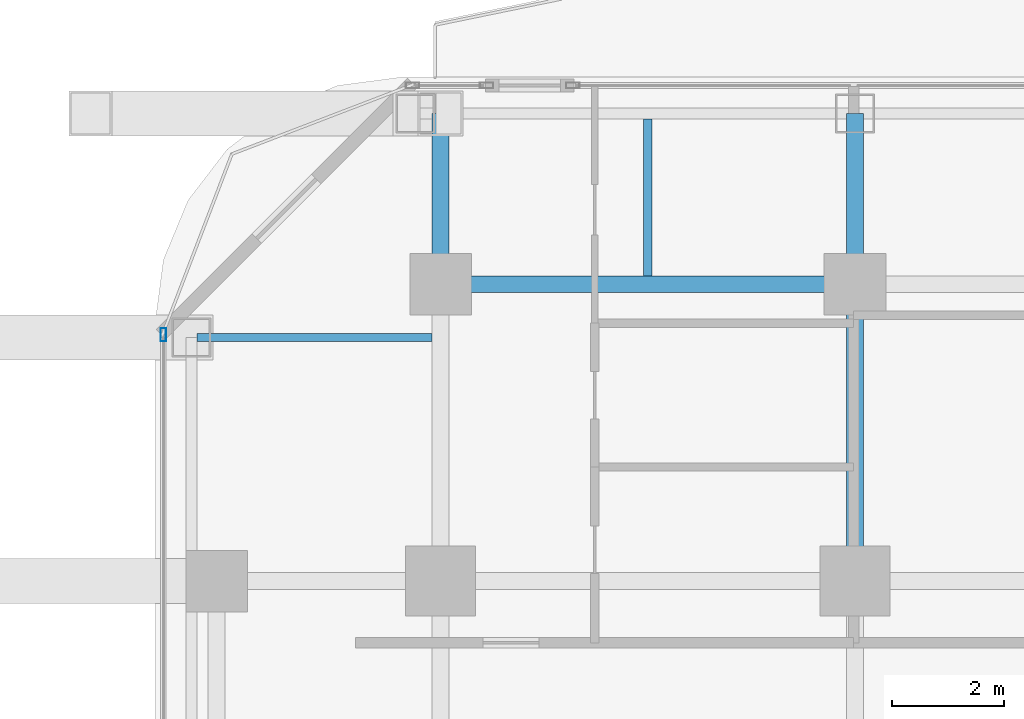
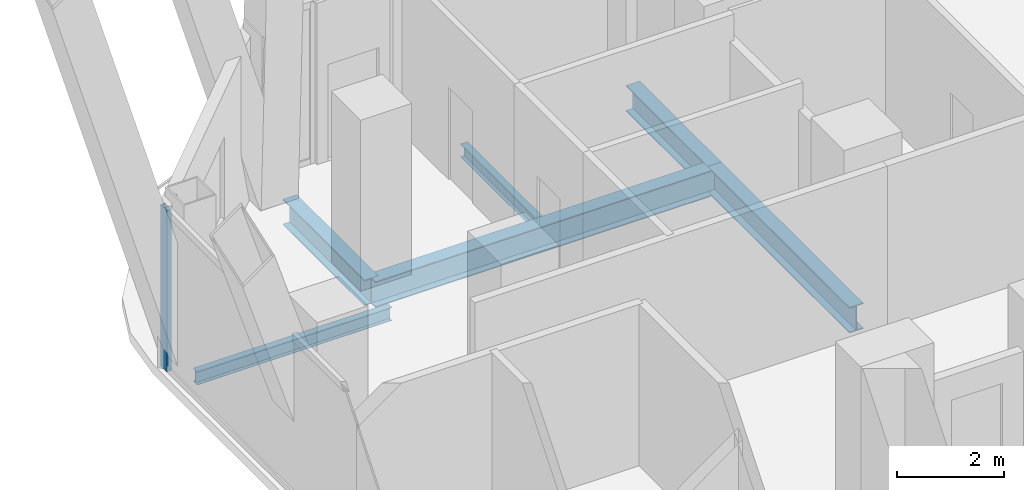
# One storey, part 15 of 32: 6 beams, 1 member, 1 element without a shape of its own.
"""IFC4 building model written with IfcOpenShell, lengths in metres."""

from ifc_helpers import new_model, si_unit, direction, frame, origin, origin_2d, place, context, subcontext, project, spatial, hollow_rectangle, i_section, extrude, material, layer, layer_set, material_profile, profile_set, type_object, element, aggregate, save


model = new_model("IFC4")

# Units and contexts
model_context = context("Model", 3, precision=1e-05, world=origin(), true_north=direction((0.0, 1.0)))
body_context = subcontext(model_context, "Body", "Model", "MODEL_VIEW")
ifc_project = project(units=[si_unit("LENGTHUNIT", "METRE"), si_unit("AREAUNIT", "SQUARE_METRE"), si_unit("VOLUMEUNIT", "CUBIC_METRE"), si_unit("PLANEANGLEUNIT", "RADIAN"), si_unit("MASSUNIT", "GRAM", prefix="KILO")], contexts=[model_context])

# Site, building, storey
site_placement = place(None, origin())
site = spatial("IfcSite", under=ifc_project, at=site_placement, CompositionType="ELEMENT")
building_placement = place(site_placement, origin())
building = spatial("IfcBuilding", under=site, at=building_placement, Name="Khorvyn Point Tower", CompositionType="ELEMENT")
storey_placement = place(building_placement, frame((0.0, 0.0, 148.5)))
storey = spatial("IfcBuildingStorey", under=building, at=storey_placement, Name="L37", CompositionType="ELEMENT", Elevation=148.5)

# Curtain wall, member
ifc_material_1 = material(Name="Anodised aluminium 6063-T6 and laminated Low-E glass", Category="aluminium")
ifc_layer = layer(ifc_material_1, 0.18994140625)
ifc_layer_set = layer_set([ifc_layer], Name="Stick-Built Acoustic Curtain Wall CW-SYS-03")
curtain_wall_type = type_object("IfcCurtainWallType", Name="Stick-Built Acoustic Curtain Wall CW-SYS-03", PredefinedType="NOTDEFINED", material=ifc_layer_set)
curtain_wall_placement = place(storey_placement, origin())
curtain_wall = element("IfcCurtainWall", 1, at=curtain_wall_placement, inside=storey, type_object=curtain_wall_type, Name="Curtain Wall", PredefinedType="NOTDEFINED")
ifc_material_2 = material(Name="Anodised aluminium 6063-T6", Category="aluminium")
ifc_material_profile_1 = material_profile(ifc_material_2, hollow_rectangle(XDim=0.10009765625, YDim=0.239990234375, WallThickness=0.0048828125, at=origin_2d()))
ifc_profile_set_1 = profile_set([ifc_material_profile_1], Name="Anodised aluminium 6063-T6 ALU-MUL-100x240")
member_type = type_object("IfcMemberType", Name="Anodised Aluminium 6063-T6 Mullion ALU-MUL-100x240", PredefinedType="MULLION", material=ifc_profile_set_1)
member_placement = place(storey_placement, frame((-19.75, 19.199951171875, 0.0), z_axis=(0.0, 0.0, 1.0), x_axis=(-1.0, 0.0, 0.0)))
member = element("IfcMember", 2, at=member_placement, type_object=member_type, Name="Transom", PredefinedType="MULLION", context=body_context, shape_type="SweptSolid", body=[
    extrude(hollow_rectangle(XDim=0.10009765625, YDim=0.239990234375, WallThickness=0.0048828125, at=origin_2d()), origin(), (0.0, 0.0, 1.0), 3.679931640625),
])
aggregate(curtain_wall, [member])

# Beams
ifc_material_3 = material(Name="Steel S355", Category="steel")
ifc_material_profile_2 = material_profile(ifc_material_3, i_section(OverallWidth=0.300048828125, OverallDepth=0.587890625, WebThickness=0.011962890625, FlangeThickness=0.02001953125, at=origin_2d()))
ifc_profile_set_2 = profile_set([ifc_material_profile_2], Name="Steel S355 H588x300x12x20")
beam_type_1 = type_object("IfcBeamType", Name="Steel S355 Beam H588x300x12x20", PredefinedType="BEAM", material=ifc_profile_set_2)
beam_1_placement = place(storey_placement, frame((-14.800048828125, 20.10009765625, -0.513916015625), z_axis=(1.0, 0.0, 0.0), x_axis=(0.0, 1.0, 0.0)))
element("IfcBeam", 3, at=beam_1_placement, inside=storey, type_object=beam_type_1, Name="Beam", PredefinedType="BEAM", context=body_context, shape_type="SweptSolid", body=[
    extrude(i_section(OverallWidth=0.300048828125, OverallDepth=0.587890625, WebThickness=0.011962890625, FlangeThickness=0.02001953125, at=origin_2d()), origin(), (0.0, 0.0, 1.0), 7.400146484375),
])
beam_2_placement = place(storey_placement, frame((-14.800048828125, 20.10009765625, -0.513916015625), z_axis=(0.0, 1.0, 0.0), x_axis=(-1.0, 0.0, 0.0)))
element("IfcBeam", 4, at=beam_2_placement, inside=storey, type_object=beam_type_1, Name="Beam", PredefinedType="BEAM", context=body_context, shape_type="SweptSolid", body=[
    extrude(i_section(OverallWidth=0.300048828125, OverallDepth=0.587890625, WebThickness=0.011962890625, FlangeThickness=0.02001953125, at=origin_2d()), origin(), (0.0, 0.0, 1.0), 3.0498046875),
])
beam_3_placement = place(storey_placement, frame((-7.39990234375, 14.800048828125, -0.513916015625), z_axis=(0.0, 1.0, 0.0), x_axis=(-1.0, 0.0, 0.0)))
element("IfcBeam", 5, at=beam_3_placement, inside=storey, type_object=beam_type_1, Name="Beam", PredefinedType="BEAM", context=body_context, shape_type="SweptSolid", body=[
    extrude(i_section(OverallWidth=0.300048828125, OverallDepth=0.587890625, WebThickness=0.011962890625, FlangeThickness=0.02001953125, at=origin_2d()), origin(), (0.0, 0.0, 1.0), 5.300048828125),
])
beam_4_placement = place(storey_placement, frame((-7.39990234375, 20.10009765625, -0.513916015625), z_axis=(0.0, 1.0, 0.0), x_axis=(-1.0, 0.0, 0.0)))
element("IfcBeam", 6, at=beam_4_placement, inside=storey, type_object=beam_type_1, Name="Beam", PredefinedType="BEAM", context=body_context, shape_type="SweptSolid", body=[
    extrude(i_section(OverallWidth=0.300048828125, OverallDepth=0.587890625, WebThickness=0.011962890625, FlangeThickness=0.02001953125, at=origin_2d()), origin(), (0.0, 0.0, 1.0), 3.0498046875),
])
ifc_material_profile_3 = material_profile(ifc_material_3, i_section(OverallWidth=0.14990234375, OverallDepth=0.300048828125, WebThickness=0.006591796875, FlangeThickness=0.009033203125, at=origin_2d()))
ifc_profile_set_3 = profile_set([ifc_material_profile_3], Name="Steel S355 H300x150x6.5x9")
beam_type_2 = type_object("IfcBeamType", Name="Steel S355 Joist H300x150x6.5x9", PredefinedType="JOIST", material=ifc_profile_set_3)
beam_5_placement = place(storey_placement, frame((-11.10009765625, 20.25, -0.3701171875), z_axis=(0.0, 1.0, 0.0), x_axis=(-1.0, 0.0, 0.0)))
element("IfcBeam", 7, at=beam_5_placement, inside=storey, type_object=beam_type_2, Name="Beam", PredefinedType="JOIST", context=body_context, shape_type="SweptSolid", body=[
    extrude(i_section(OverallWidth=0.14990234375, OverallDepth=0.300048828125, WebThickness=0.006591796875, FlangeThickness=0.009033203125, at=origin_2d()), origin(), (0.0, 0.0, 1.0), 2.800048828125),
])
beam_6_placement = place(storey_placement, frame((-19.14990234375, 19.14990234375, -0.3701171875), z_axis=(1.0, 0.0, 0.0), x_axis=(0.0, 1.0, 0.0)))
element("IfcBeam", 8, at=beam_6_placement, inside=storey, type_object=beam_type_2, Name="Beam", PredefinedType="JOIST", context=body_context, shape_type="SweptSolid", body=[
    extrude(i_section(OverallWidth=0.14990234375, OverallDepth=0.300048828125, WebThickness=0.006591796875, FlangeThickness=0.009033203125, at=origin_2d()), origin(), (0.0, 0.0, 1.0), 4.199951171875),
])

save(model, "model.ifc")
